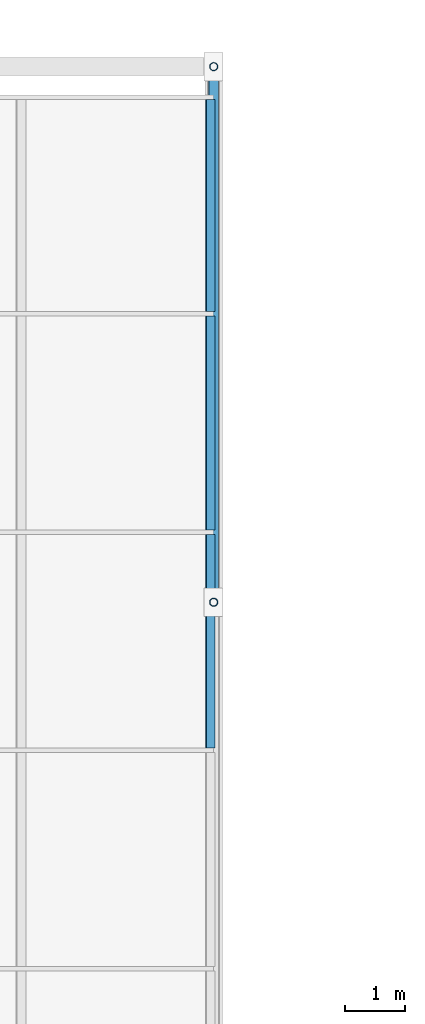
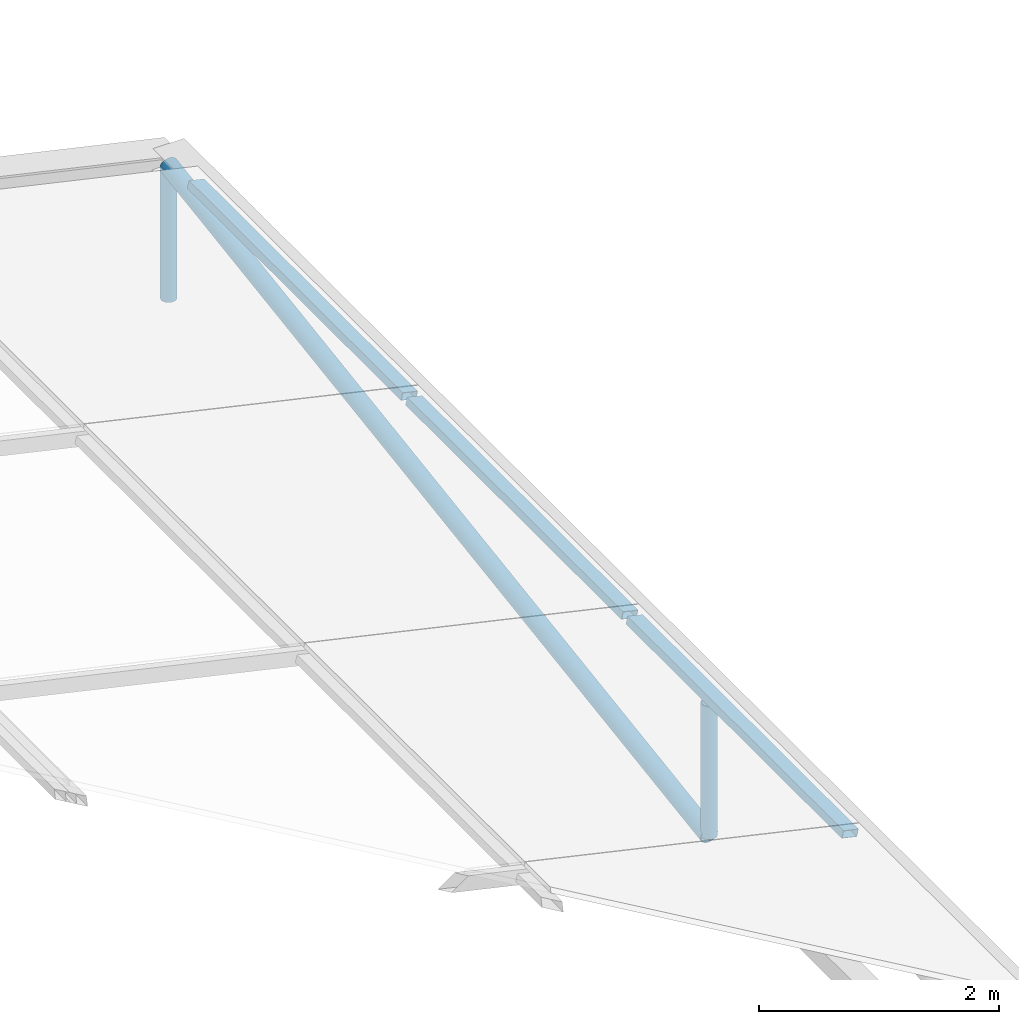
# One storey, part 99 of 130: 6 members, 1 element without a shape of its own.
"""IFC4 building model written with IfcOpenShell, lengths in metres."""

from ifc_helpers import new_model, si_unit, direction, frame, origin, origin_2d, place, context, subcontext, project, spatial, hollow_rectangle, hollow_circle, extrude, material, material_profile, profile_set, type_object, element, aggregate, save


model = new_model("IFC4")

# Units and contexts
model_context = context("Model", 3, precision=1e-05, world=origin(), true_north=direction((0.0, 1.0)))
body_context = subcontext(model_context, "Body", "Model", "MODEL_VIEW")
ifc_project = project(units=[si_unit("LENGTHUNIT", "METRE"), si_unit("AREAUNIT", "SQUARE_METRE"), si_unit("VOLUMEUNIT", "CUBIC_METRE"), si_unit("PLANEANGLEUNIT", "RADIAN"), si_unit("MASSUNIT", "GRAM", prefix="KILO")], contexts=[model_context])

# Site, building, storey
site_placement = place(None, origin())
site = spatial("IfcSite", under=ifc_project, at=site_placement, CompositionType="ELEMENT")
building_placement = place(site_placement, origin())
building = spatial("IfcBuilding", under=site, at=building_placement, Name="Lykobir Media Centre", CompositionType="ELEMENT")
storey_placement = place(building_placement, frame((0.0, 0.0, 19.199951171875)))
storey = spatial("IfcBuildingStorey", under=building, at=storey_placement, Name="L04", CompositionType="ELEMENT", Elevation=19.199951171875)

# Members
ifc_material_1 = material(Name="Steel S355", Category="steel")
ifc_material_profile_1 = material_profile(ifc_material_1, hollow_circle(Radius=0.06982421875, WallThickness=0.008056640625, at=origin_2d()), Name="CHS 139.7x8.0")
ifc_profile_set_1 = profile_set([ifc_material_profile_1], Name="Steel S355")
member_type_1 = type_object("IfcMemberType", Name="BR-CHS140-E", PredefinedType="BRACE", material=ifc_profile_set_1)
for number, where, z_axis, x_axis, name in (
    (1, (81.0, 99.0, 0.739990234375), (0.0, 0.0, -1.0), (1.0, 0.0, 0.0), "Diagonal brace MEM2-L04-0810-0990-0199-0810-0990-0506"),
    (2, (81.0, 108.0, 0.739990234375), (0.0, 0.0, -1.0), (1.0, 0.0, 0.0), "Diagonal brace MEM2-L04-0810-1080-0199-0810-1080-0508"),
):
    element("IfcMember", number, at=place(storey_placement, frame(where, z_axis=z_axis, x_axis=x_axis)), inside=storey, type_object=member_type_1, Name=name, PredefinedType="BRACE", context=body_context, shape_type="SweptSolid", body=[
        extrude(hollow_circle(Radius=0.06982421875, WallThickness=0.008056640625, at=origin_2d()), origin(), (0.0, 0.0, 1.0), 1.349853515625),
    ])
ifc_material_profile_2 = material_profile(ifc_material_1, hollow_circle(Radius=0.084228515625, WallThickness=0.010009765625, at=origin_2d()), Name="CHS 168.3x10.0")
ifc_profile_set_2 = profile_set([ifc_material_profile_2], Name="Steel S355")
member_type_2 = type_object("IfcMemberType", Name="BR-CHS168-E", PredefinedType="BRACE", material=ifc_profile_set_2)
member_1_placement = place(storey_placement, frame((81.0, 99.0, -0.60986328125), z_axis=(0.0, 0.988938714016, 0.148324711095), x_axis=(-1.0, 0.0, 0.0)))
element("IfcMember", 3, at=member_1_placement, inside=storey, type_object=member_type_2, Name="Diagonal brace MEM2-L04-0810-0990-0186-0810-1080-0507", PredefinedType="BRACE", context=body_context, shape_type="SweptSolid", body=[
    extrude(hollow_circle(Radius=0.084228515625, WallThickness=0.010009765625, at=origin_2d()), origin(), (0.0, 0.0, 1.0), 9.1005859375),
])

# Curtain wall, members
ifc_material_2 = material(Name="Anodized Aluminium AW-6060", Category="aluminium")
curtain_wall_type = type_object("IfcCurtainWallType", Name="CW-V6-SKY", PredefinedType="NOTDEFINED", material=ifc_material_2)
curtain_wall_placement = place(storey_placement, origin())
curtain_wall = element("IfcCurtainWall", 4, at=curtain_wall_placement, inside=storey, type_object=curtain_wall_type, Name="Curtain wall CW-V6-SKY01", PredefinedType="NOTDEFINED")
ifc_material_profile_3 = material_profile(ifc_material_2, hollow_rectangle(XDim=0.074951171875, YDim=0.14990234375, WallThickness=0.00341796875, at=origin_2d()), Name="ALU TRANSOM 75x150")
ifc_profile_set_3 = profile_set([ifc_material_profile_3], Name="Anodized Aluminium AW-6060")
member_type_3 = type_object("IfcMemberType", Name="CWT-150", PredefinedType="USERDEFINED", material=ifc_profile_set_3)
member_2_placement = place(storey_placement, frame((80.941162109375, 107.445068359375, 0.909912109375), z_axis=(0.0, -1.0, 0.0), x_axis=(0.221054901821, 0.0, 0.975261365164)))
member_2 = element("IfcMember", 5, at=member_2_placement, type_object=member_type_3, Name="CW-V6-SKY01 transom 1.1", ObjectType="TRANSOM", PredefinedType="USERDEFINED", context=body_context, shape_type="SweptSolid", body=[
    extrude(hollow_rectangle(XDim=0.074951171875, YDim=0.14990234375, WallThickness=0.00341796875, at=origin_2d()), origin(), (0.0, 0.0, 1.0), 3.5576171875),
])
member_3_placement = place(storey_placement, frame((80.941162109375, 103.8125, 0.909912109375), z_axis=(0.0, -1.0, 0.0), x_axis=(0.221054901821, 0.0, 0.975261365164)))
member_3 = element("IfcMember", 6, at=member_3_placement, type_object=member_type_3, Name="CW-V6-SKY01 transom 2.1", ObjectType="TRANSOM", PredefinedType="USERDEFINED", context=body_context, shape_type="SweptSolid", body=[
    extrude(hollow_rectangle(XDim=0.074951171875, YDim=0.14990234375, WallThickness=0.00341796875, at=origin_2d()), origin(), (0.0, 0.0, 1.0), 3.594970703125),
])
member_4_placement = place(storey_placement, frame((80.941162109375, 100.142578125, 0.909912109375), z_axis=(0.0, -1.0, 0.0), x_axis=(0.221054901821, 0.0, 0.975261365164)))
member_4 = element("IfcMember", 7, at=member_4_placement, type_object=member_type_3, Name="CW-V6-SKY01 transom 3.1", ObjectType="TRANSOM", PredefinedType="USERDEFINED", context=body_context, shape_type="SweptSolid", body=[
    extrude(hollow_rectangle(XDim=0.074951171875, YDim=0.14990234375, WallThickness=0.00341796875, at=origin_2d()), origin(), (0.0, 0.0, 1.0), 3.594970703125),
])
aggregate(curtain_wall, [member_2, member_3, member_4])

save(model, "model.ifc")
